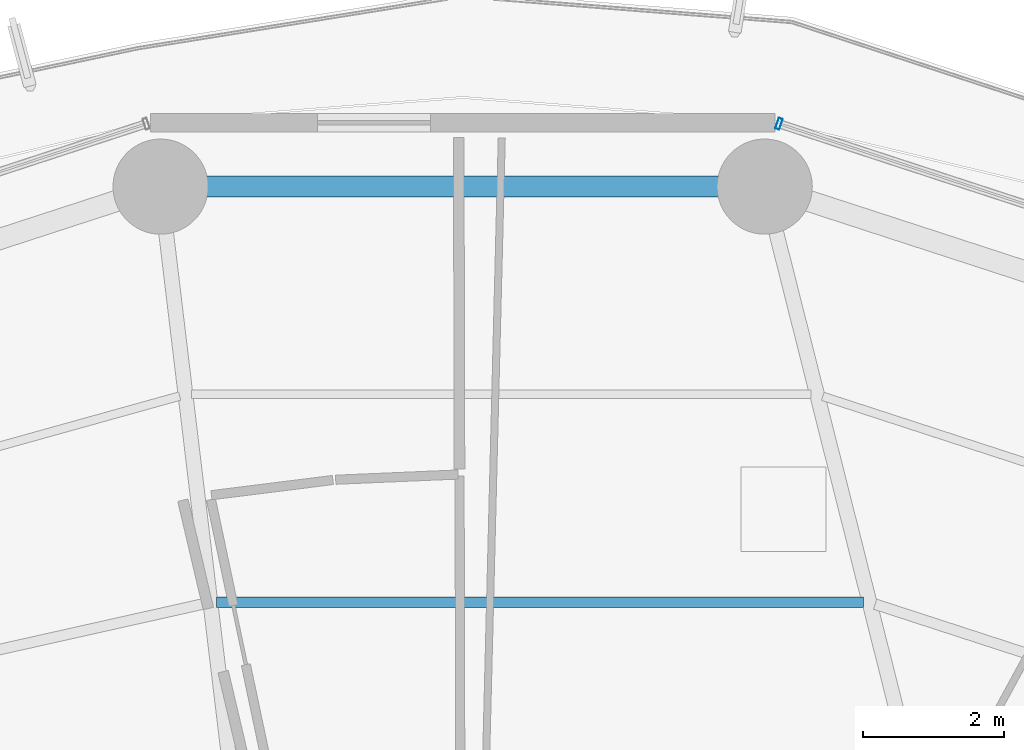
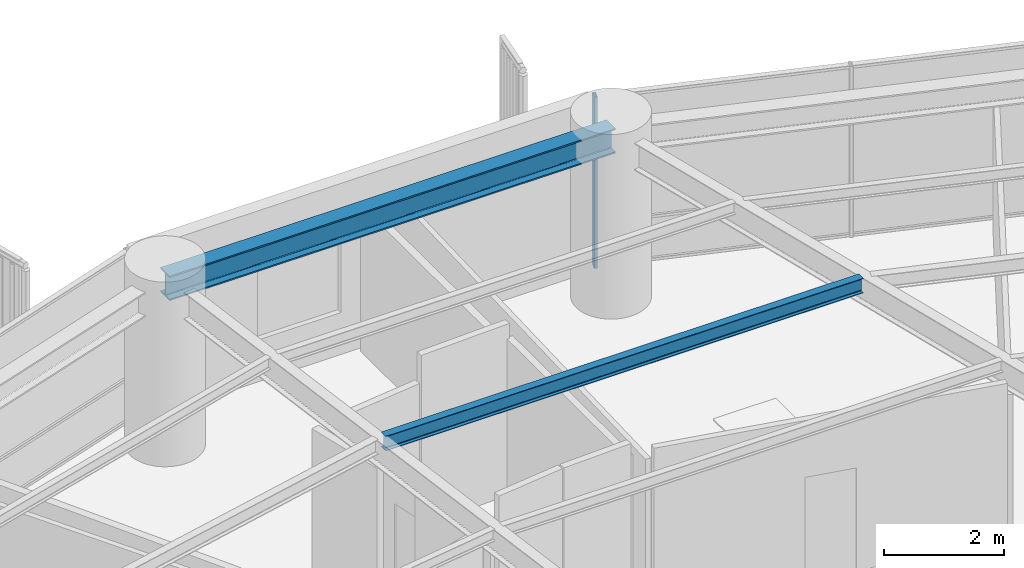
# One storey, part 23 of 35: 2 beams, 1 member, 1 element without a shape of its own.
"""IFC4 building model written with IfcOpenShell, lengths in metres."""

import ifcopenshell
import ifcopenshell.guid

model = None  # the IFC model being written
_history = None  # IfcOwnerHistory: only IFC2X3 demands one
_inside = {}  # id of a spatial element -> (the spatial element, [elements in it])
_under = {}  # id of a project, library or spatial element -> (it, [spatial elements below it])
_declared = {}  # id of a project -> (the project, [libraries it declares])
_typed = {}  # id of a type object -> (the type object, [elements of that type])
_made_of = {}  # id of a material, layer set ... -> (it, [elements and type objects made of it])


def new_model(schema):
    """Start an empty IFC model of exactly this schema.

    Asked for "IFC4X3", IfcOpenShell would pick the latest addendum, in which some entities
    have other attributes; the version numbers below select the first issue.
    IFC2X3 requires an IfcOwnerHistory on every rooted entity: one is made here for all.
    """
    global model, _history
    if schema == "IFC4X3":
        model = ifcopenshell.file(schema_version=(4, 3, 0, 0))
    else:
        model = ifcopenshell.file(schema=schema)
    _inside.clear()
    _under.clear()
    _declared.clear()
    _typed.clear()
    _made_of.clear()
    _history = None
    if model.schema == "IFC2X3":
        org = make("IfcOrganization", Name="unknown")
        user = make(
            "IfcPersonAndOrganization",
            ThePerson=make("IfcPerson", FamilyName="unknown"),
            TheOrganization=org,
        )
        app = make(
            "IfcApplication",
            ApplicationDeveloper=org,
            Version="unknown",
            ApplicationFullName="unknown",
            ApplicationIdentifier="unknown",
        )
        _history = make(
            "IfcOwnerHistory",
            OwningUser=user,
            OwningApplication=app,
            ChangeAction="ADDED",
            CreationDate=0,
        )
    return model


def make(cls, **values):
    """One entity of the class cls with the attributes given. An attribute that is None is left unset."""
    return model.create_entity(
        cls, **{name: value for name, value in values.items() if value is not None}
    )


def rooted(cls, **values):
    """An entity with a GlobalId (a new one), such as an element, a storey or a relation."""
    return make(cls, GlobalId=ifcopenshell.guid.new(), OwnerHistory=_history, **values)


def si_unit(unit_type, name, prefix=None):
    """IfcSIUnit, for example si_unit("LENGTHUNIT", "METRE", prefix="MILLI")."""
    return make("IfcSIUnit", UnitType=unit_type, Prefix=prefix, Name=name)


def assignment(units):
    """IfcUnitAssignment: the units of a project."""
    return None if units is None else make("IfcUnitAssignment", Units=units)


def point(xyz):
    """IfcCartesianPoint."""
    return None if xyz is None else make("IfcCartesianPoint", Coordinates=xyz)


def direction(xyz):
    """IfcDirection."""
    return None if xyz is None else make("IfcDirection", DirectionRatios=xyz)


def frame(location, z_axis=None, x_axis=None):
    """IfcAxis2Placement3D, a coordinate frame: its origin and axes. An axis left out is left unset."""
    return make(
        "IfcAxis2Placement3D",
        Location=point(location),
        Axis=direction(z_axis),
        RefDirection=direction(x_axis),
    )


def frame_2d(location, x_axis=None):
    """IfcAxis2Placement2D, a coordinate frame in the plane: its origin and x axis."""
    return make(
        "IfcAxis2Placement2D", Location=point(location), RefDirection=direction(x_axis)
    )


def origin():
    """The frame at (0, 0, 0) with its axes left unset."""
    return frame((0.0, 0.0, 0.0))


def origin_2d():
    """The frame at (0, 0) in the plane with its x axis left unset."""
    return frame_2d((0.0, 0.0))


def place(relative_to, where):
    """IfcLocalPlacement: puts the frame where relative to a parent placement (None: the world)."""
    return make(
        "IfcLocalPlacement", PlacementRelTo=relative_to, RelativePlacement=where
    )


def context(
    kind, dimensions, precision=None, world=None, true_north=None, identifier=None
):
    """IfcGeometricRepresentationContext, for example the 3D "Model" context."""
    return make(
        "IfcGeometricRepresentationContext",
        ContextIdentifier=identifier,
        ContextType=kind,
        CoordinateSpaceDimension=dimensions,
        Precision=precision,
        WorldCoordinateSystem=world,
        TrueNorth=true_north,
    )


def subcontext(parent, identifier, kind, view, scale=None):
    """IfcGeometricRepresentationSubContext, for example "Body" below "Model"."""
    return make(
        "IfcGeometricRepresentationSubContext",
        ContextIdentifier=identifier,
        ContextType=kind,
        ParentContext=parent,
        TargetScale=scale,
        TargetView=view,
    )


def project(units=None, contexts=None):
    """IfcProject with its units and contexts."""
    return rooted(
        "IfcProject",
        Name="project",
        RepresentationContexts=contexts,
        UnitsInContext=assignment(units),
    )


def spatial(cls, under=None, at=None, **own):
    """A site, building, storey or space (cls), placed at a placement, below another one or the project."""
    s = rooted(cls, ObjectPlacement=at, **own)
    if under is not None:
        _under.setdefault(under.id(), (under, []))[1].append(s)
    return s


def profile(cls, at=None, kind="AREA", **sizes):
    """A parametric profile (cls). Its sizes go by their IFC names, for example OverallWidth=200.0."""
    return make(cls, ProfileType=kind, Position=at, **sizes)


def hollow_rectangle(**sizes):
    """IfcRectangleHollowProfileDef."""
    return profile("IfcRectangleHollowProfileDef", **sizes)


def i_section(**sizes):
    """IfcIShapeProfileDef."""
    return profile("IfcIShapeProfileDef", **sizes)


def extrude(swept, where, along, depth):
    """IfcExtrudedAreaSolid: the profile swept, set in the frame where, extruded along a direction by depth."""
    return make(
        "IfcExtrudedAreaSolid",
        SweptArea=swept,
        Position=where,
        ExtrudedDirection=direction(along),
        Depth=depth,
    )


def shape(context_of_items, identifier, shape_type, items):
    """IfcShapeRepresentation: the items that make up one representation, for example the "Body"."""
    return make(
        "IfcShapeRepresentation",
        ContextOfItems=context_of_items,
        RepresentationIdentifier=identifier,
        RepresentationType=shape_type,
        Items=items,
    )


def material(Name=None, Category=None):
    """IfcMaterial."""
    return make("IfcMaterial", Name=Name, Category=Category)


def layer(
    of_material, thickness, ventilated=None, Name=None, Category=None, Priority=None
):
    """IfcMaterialLayer: one layer of a wall or slab, of a material (None: an air gap)."""
    return make(
        "IfcMaterialLayer",
        Material=of_material,
        LayerThickness=thickness,
        IsVentilated=ventilated,
        Name=Name,
        Category=Category,
        Priority=Priority,
    )


def layer_set(layers, Name=None):
    """IfcMaterialLayerSet."""
    return make("IfcMaterialLayerSet", MaterialLayers=layers, LayerSetName=Name)


def material_profile(
    of_material, cross_section, Name=None, Category=None, Priority=None
):
    """IfcMaterialProfile: a cross section and its material."""
    return make(
        "IfcMaterialProfile",
        Name=Name,
        Material=of_material,
        Profile=cross_section,
        Priority=Priority,
        Category=Category,
    )


def profile_set(profiles, Name=None, composite=None):
    """IfcMaterialProfileSet."""
    return make(
        "IfcMaterialProfileSet",
        Name=Name,
        MaterialProfiles=profiles,
        CompositeProfile=composite,
    )


def made_of(thing, what):
    """Note that an element or type object is made of a material, layer set ...; save() writes the relation."""
    if what is not None:
        _made_of.setdefault(what.id(), (what, []))[1].append(thing)
    return thing


def type_object(cls, material=None, **own):
    """A type object (cls), such as IfcWallType, which elements share."""
    return made_of(rooted(cls, **own), material)


def element(
    cls,
    number,
    at=None,
    inside=None,
    cuts=None,
    type_object=None,
    material=None,
    context=None,
    identifier="Body",
    shape_type=None,
    held_by="IfcProductDefinitionShape",
    body=None,
    shapes=None,
    **own,
):
    """One element of the class cls, such as IfcWall. Its Tag is "e" and its number.

    at: its placement. inside: the storey or other place that contains it. cuts: it is an
    opening in that element (IfcRelVoidsElement). A single representation is given by context,
    identifier, shape_type and body (its items); several are given by shapes. held_by: the class
    of the entity that holds the representations. save() writes the other relations.
    """
    e = rooted(cls, Tag="e%d" % number, ObjectPlacement=at, **own)
    if body is not None:
        shapes = [shape(context, identifier, shape_type, body)]
    if shapes is not None:
        e.Representation = make(held_by, Representations=shapes)
    if inside is not None:
        _inside.setdefault(inside.id(), (inside, []))[1].append(e)
    if cuts is not None:
        rooted(
            "IfcRelVoidsElement", RelatingBuildingElement=cuts, RelatedOpeningElement=e
        )
    if type_object is not None:
        _typed.setdefault(type_object.id(), (type_object, []))[1].append(e)
    return made_of(e, material)


def aggregate(whole, parts):
    """IfcRelAggregates: a whole, such as a stair, and the parts it consists of."""
    return rooted("IfcRelAggregates", RelatingObject=whole, RelatedObjects=parts)


def save(model, path):
    """Write the relations noted so far, then the file.

    IfcRelAggregates (storeys below a building ...), IfcRelContainedInSpatialStructure (elements
    in a storey), IfcRelDefinesByType, IfcRelAssociatesMaterial and IfcRelDeclares: one each for
    every whole, place, type object, material and project.
    """
    for whole, parts in _under.values():
        aggregate(whole, parts)
    for where, things in _inside.values():
        rooted(
            "IfcRelContainedInSpatialStructure",
            RelatedElements=things,
            RelatingStructure=where,
        )
    for kind, things in _typed.values():
        rooted("IfcRelDefinesByType", RelatedObjects=things, RelatingType=kind)
    for what, things in _made_of.values():
        rooted("IfcRelAssociatesMaterial", RelatedObjects=things, RelatingMaterial=what)
    for by, libraries in _declared.values():
        rooted("IfcRelDeclares", RelatingContext=by, RelatedDefinitions=libraries)
    model.write(path)


model = new_model("IFC4")

# Units and contexts
model_context = context("Model", 3, precision=1e-05, world=origin(), true_north=direction((0.0, 1.0)))
body_context = subcontext(model_context, "Body", "Model", "MODEL_VIEW")
ifc_project = project(units=[si_unit("LENGTHUNIT", "METRE"), si_unit("AREAUNIT", "SQUARE_METRE"), si_unit("VOLUMEUNIT", "CUBIC_METRE"), si_unit("PLANEANGLEUNIT", "RADIAN"), si_unit("MASSUNIT", "GRAM", prefix="KILO")], contexts=[model_context])

# Site, building, storey
site_placement = place(None, origin())
site = spatial("IfcSite", under=ifc_project, at=site_placement, CompositionType="ELEMENT")
building_placement = place(site_placement, origin())
building = spatial("IfcBuilding", under=site, at=building_placement, Name="Kelanora Arch Commons", CompositionType="ELEMENT")
storey_placement = place(building_placement, frame((0.0, 0.0, 117.60009765625)))
storey = spatial("IfcBuildingStorey", under=building, at=storey_placement, Name="L30", CompositionType="ELEMENT", Elevation=117.60009765625)

# Beams
ifc_material_1 = material(Name="Steel S355", Category="steel")
ifc_material_profile_1 = material_profile(ifc_material_1, i_section(OverallWidth=0.14990234375, OverallDepth=0.300048828125, WebThickness=0.007080078125, FlangeThickness=0.0107421875, FilletRadius=0.014892578125, at=origin_2d()), Name="IPE300")
ifc_profile_set_1 = profile_set([ifc_material_profile_1], Name="Steel S355")
beam_type_1 = type_object("IfcBeamType", Name="BM-JST-01", PredefinedType="JOIST", material=ifc_profile_set_1)
beam_1_placement = place(storey_placement, frame((79.686279296875, 73.8466796875, 3.33984375), z_axis=(-1.0, 0.0, 0.0), x_axis=(0.0, -1.0, 0.0)))
element("IfcBeam", 1, at=beam_1_placement, inside=storey, type_object=beam_type_1, Name="Secondary Chord Joist BJB-08 L30", PredefinedType="JOIST", context=body_context, shape_type="SweptSolid", body=[
    extrude(i_section(OverallWidth=0.14990234375, OverallDepth=0.300048828125, WebThickness=0.007080078125, FlangeThickness=0.0107421875, FilletRadius=0.014892578125, at=origin_2d()), origin(), (0.0, 0.0, 1.0), 9.1806640625),
])
ifc_material_profile_2 = material_profile(ifc_material_1, i_section(OverallWidth=0.300048828125, OverallDepth=0.5, WebThickness=0.014404296875, FlangeThickness=0.028076171875, FilletRadius=0.027099609375, at=origin_2d()), Name="HEB500")
ifc_profile_set_2 = profile_set([ifc_material_profile_2], Name="Steel S355")
beam_type_2 = type_object("IfcBeamType", Name="BM-SPN-Z2", PredefinedType="SPANDREL", material=ifc_profile_set_2)
beam_2_placement = place(storey_placement, frame((78.28564453125, 79.74462890625, 3.239990234375), z_axis=(-1.0, 0.0, 0.0), x_axis=(0.0, -1.0, 0.0)))
element("IfcBeam", 2, at=beam_2_placement, inside=storey, type_object=beam_type_2, Name="Perimeter Spandrel Beam BS-08 L30", PredefinedType="SPANDREL", context=body_context, shape_type="SweptSolid", body=[
    extrude(i_section(OverallWidth=0.300048828125, OverallDepth=0.5, WebThickness=0.014404296875, FlangeThickness=0.028076171875, FilletRadius=0.027099609375, at=origin_2d()), origin(), (0.0, 0.0, 1.0), 8.5712890625),
])

# Curtain wall, member
ifc_material_2 = material(Name="Terracotta ceramic-fritted low-E glass and aluminium", Category="masonry")
ifc_layer = layer(ifc_material_2, 0.159912109375)
ifc_layer_set = layer_set([ifc_layer], Name="Terracotta ceramic-fritted low-E glass and aluminium")
curtain_wall_type = type_object("IfcCurtainWallType", Name="CW-SYS-01", PredefinedType="NOTDEFINED", material=ifc_layer_set)
curtain_wall_placement = place(storey_placement, origin())
curtain_wall = element("IfcCurtainWall", 3, at=curtain_wall_placement, inside=storey, type_object=curtain_wall_type, Name="Unitised Curtain Wall L30-B03", PredefinedType="NOTDEFINED")
ifc_material_3 = material(Name="Powder-coated aluminium terracotta", Category="masonry")
ifc_material_profile_3 = material_profile(ifc_material_3, hollow_rectangle(XDim=0.159912109375, YDim=0.06005859375, WallThickness=0.0048828125, InnerFilletRadius=0.0048828125, OuterFilletRadius=0.010009765625, at=origin_2d()), Name="CWM160x60")
ifc_profile_set_3 = profile_set([ifc_material_profile_3], Name="Powder-coated aluminium terracotta")
member_type = type_object("IfcMemberType", Name="CWM-STD", PredefinedType="MULLION", material=ifc_profile_set_3)
member_placement = place(storey_placement, frame((78.48828125, 80.636474609375, 0.0), z_axis=(0.0, 0.0, 1.0), x_axis=(-0.31080470294, -0.950473795867, 0.0)))
member = element("IfcMember", 4, at=member_placement, type_object=member_type, Name="CW-01 mullion 3", PredefinedType="MULLION", context=body_context, shape_type="SweptSolid", body=[
    extrude(hollow_rectangle(XDim=0.159912109375, YDim=0.06005859375, WallThickness=0.0048828125, InnerFilletRadius=0.0048828125, OuterFilletRadius=0.010009765625, at=origin_2d()), origin(), (0.0, 0.0, 1.0), 3.474853515625),
])
aggregate(curtain_wall, [member])

save(model, "model.ifc")
